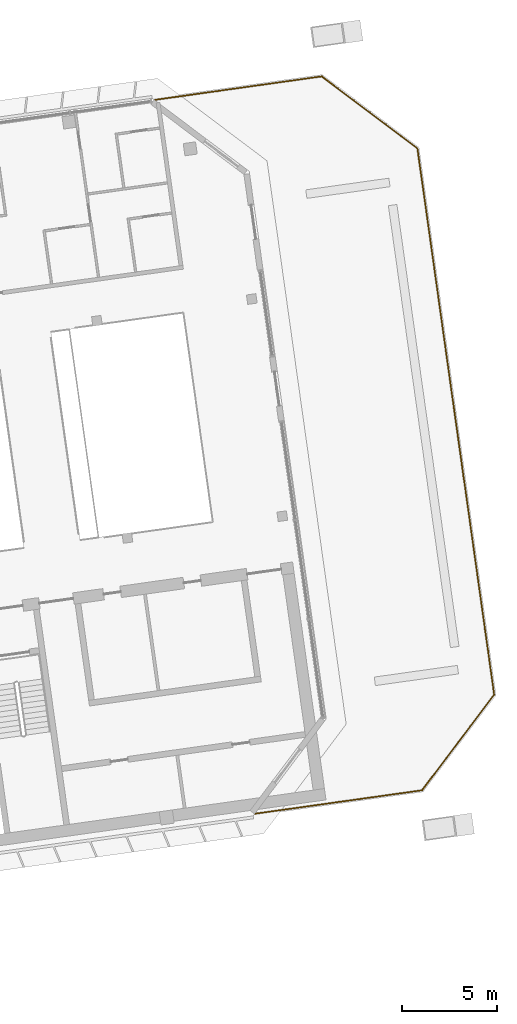
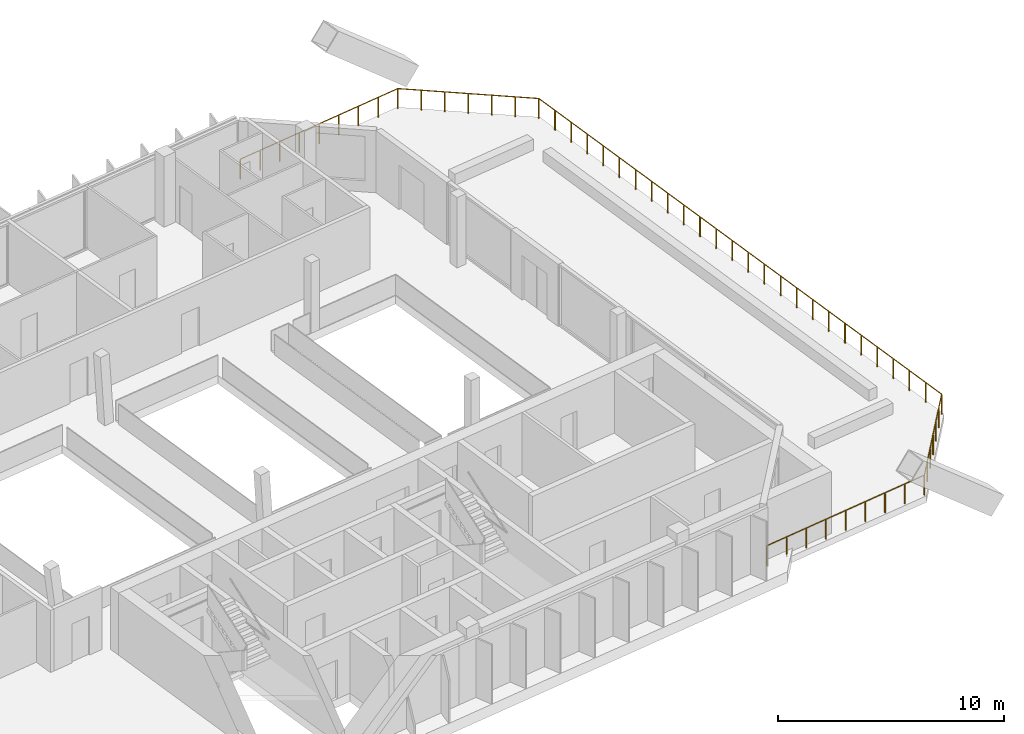
# One storey, part 19 of 19: 1 railing.
"""IFC4 building model written with IfcOpenShell, lengths in metres."""

from ifc_helpers import new_model, si_unit, direction, frame, origin, origin_2d, place, context, subcontext, project, spatial, polyline, rectangle, outline, extrude, material, type_object, element, save


model = new_model("IFC4")

# Units and contexts
model_context = context("Model", 3, precision=1e-05, world=origin(), true_north=direction((0.0, 1.0)))
body_context = subcontext(model_context, "Body", "Model", "MODEL_VIEW")
ifc_project = project(units=[si_unit("LENGTHUNIT", "METRE"), si_unit("AREAUNIT", "SQUARE_METRE"), si_unit("VOLUMEUNIT", "CUBIC_METRE"), si_unit("PLANEANGLEUNIT", "RADIAN"), si_unit("MASSUNIT", "GRAM", prefix="KILO")], contexts=[model_context])

# Site, building, storey
site_placement = place(None, origin())
site = spatial("IfcSite", under=ifc_project, at=site_placement, CompositionType="ELEMENT")
building_placement = place(site_placement, origin())
building = spatial("IfcBuilding", under=site, at=building_placement, Name="Mirante Cascada Hotel Towers", CompositionType="ELEMENT")
storey_placement = place(building_placement, frame((0.0, 0.0, 231.8)))
storey = spatial("IfcBuildingStorey", under=building, at=storey_placement, Name="L55", CompositionType="ELEMENT", Elevation=231.8)

# Railing
ifc_material = material(Name="Stainless steel AISI 316", Category="steel")
railing_type = type_object("IfcRailingType", Name="Terrace guard 1100", PredefinedType="GUARDRAIL", material=ifc_material)
railing_placement = place(storey_placement, frame((58.6901, 21.1179, 0.0)))
element("IfcRailing", 1, at=railing_placement, inside=storey, type_object=railing_type, Name="GUARD T2 L55 terrace 1", PredefinedType="GUARDRAIL", context=body_context, shape_type="SweptSolid", body=[
    extrude(outline(polyline([(0.025, 0.0104), (0.0104, 0.025), (-0.0104, 0.025), (-0.025, 0.0104), (-0.025, -0.0104), (-0.0104, -0.025), (0.0104, -0.025), (0.025, -0.0104), (0.025, 0.0104)])), frame((0.0, 0.0, 1.075), z_axis=(0.9902688, 0.1391681, 0.0), x_axis=(-0.1391681, 0.9902688, 0.0)), (0.0, 0.0, 1.0), 8.8303),
    extrude(outline(polyline([(0.025, 0.0104), (0.0104, 0.025), (-0.0104, 0.025), (-0.025, 0.0104), (-0.025, -0.0104), (-0.0104, -0.025), (0.0104, -0.025), (0.025, -0.0104), (0.025, 0.0104)])), frame((8.7444, 1.2289, 1.075), z_axis=(0.7986319, -0.6018198, 0.0), x_axis=(0.6018198, 0.7986319, 0.0)), (0.0, 0.0, 1.0), 6.2811),
    extrude(outline(polyline([(0.025, 0.0104), (0.0104, 0.025), (-0.0104, 0.025), (-0.025, 0.0104), (-0.025, -0.0104), (-0.0104, -0.025), (0.0104, -0.025), (0.025, -0.0104), (0.025, 0.0104)])), frame((13.7607, -2.5512, 1.075), z_axis=(0.1391736, -0.990268, 0.0), x_axis=(0.990268, 0.1391736, 0.0)), (0.0, 0.0, 1.0), 28.9171),
    extrude(outline(polyline([(0.025, 0.0104), (0.0104, 0.025), (-0.0104, 0.025), (-0.025, 0.0104), (-0.025, -0.0104), (-0.0104, -0.025), (0.0104, -0.025), (0.025, -0.0104), (0.025, 0.0104)])), frame((17.7852, -31.1869, 1.075), z_axis=(-0.6018198, -0.7986319, 0.0), x_axis=(0.7986319, -0.6018198, 0.0)), (0.0, 0.0, 1.0), 6.2811),
    extrude(outline(polyline([(0.025, 0.0104), (0.0104, 0.025), (-0.0104, 0.025), (-0.025, 0.0104), (-0.025, -0.0104), (-0.0104, -0.025), (0.0104, -0.025), (0.025, -0.0104), (0.025, 0.0104)])), frame((14.0051, -36.2032, 1.075), z_axis=(-0.990267, -0.1391807, 0.0), x_axis=(0.1391807, -0.990267, 0.0)), (0.0, 0.0, 1.0), 8.8302),
    extrude(rectangle(XDim=0.05, YDim=0.05, at=origin_2d()), origin(), (0.0, 0.0, 1.0), 1.05),
    extrude(rectangle(XDim=0.05, YDim=0.05, at=origin_2d()), frame((1.093, 0.1536, 0.0)), (0.0, 0.0, 1.0), 1.05),
    extrude(rectangle(XDim=0.05, YDim=0.05, at=origin_2d()), frame((2.1861, 0.3072, 0.0)), (0.0, 0.0, 1.0), 1.05),
    extrude(rectangle(XDim=0.05, YDim=0.05, at=origin_2d()), frame((3.2791, 0.4608, 0.0)), (0.0, 0.0, 1.0), 1.05),
    extrude(rectangle(XDim=0.05, YDim=0.05, at=origin_2d()), frame((4.3722, 0.6145, 0.0)), (0.0, 0.0, 1.0), 1.05),
    extrude(rectangle(XDim=0.05, YDim=0.05, at=origin_2d()), frame((5.4652, 0.7681, 0.0)), (0.0, 0.0, 1.0), 1.05),
    extrude(rectangle(XDim=0.05, YDim=0.05, at=origin_2d()), frame((6.5583, 0.9217, 0.0)), (0.0, 0.0, 1.0), 1.05),
    extrude(rectangle(XDim=0.05, YDim=0.05, at=origin_2d()), frame((7.6513, 1.0753, 0.0)), (0.0, 0.0, 1.0), 1.05),
    extrude(rectangle(XDim=0.05, YDim=0.05, at=origin_2d()), frame((8.7444, 1.2289, 0.0)), (0.0, 0.0, 1.0), 1.05),
    extrude(rectangle(XDim=0.05, YDim=0.05, at=origin_2d()), frame((9.5804, 0.5989, 0.0)), (0.0, 0.0, 1.0), 1.05),
    extrude(rectangle(XDim=0.05, YDim=0.05, at=origin_2d()), frame((10.4165, -0.0311, 0.0)), (0.0, 0.0, 1.0), 1.05),
    extrude(rectangle(XDim=0.05, YDim=0.05, at=origin_2d()), frame((11.2526, -0.6611, 0.0)), (0.0, 0.0, 1.0), 1.05),
    extrude(rectangle(XDim=0.05, YDim=0.05, at=origin_2d()), frame((12.0886, -1.2912, 0.0)), (0.0, 0.0, 1.0), 1.05),
    extrude(rectangle(XDim=0.05, YDim=0.05, at=origin_2d()), frame((12.9246, -1.9212, 0.0)), (0.0, 0.0, 1.0), 1.05),
    extrude(rectangle(XDim=0.05, YDim=0.05, at=origin_2d()), frame((13.7607, -2.5512, 0.0)), (0.0, 0.0, 1.0), 1.05),
    extrude(rectangle(XDim=0.05, YDim=0.05, at=origin_2d()), frame((13.9217, -3.6966, 0.0)), (0.0, 0.0, 1.0), 1.05),
    extrude(rectangle(XDim=0.05, YDim=0.05, at=origin_2d()), frame((14.0827, -4.8421, 0.0)), (0.0, 0.0, 1.0), 1.05),
    extrude(rectangle(XDim=0.05, YDim=0.05, at=origin_2d()), frame((14.2436, -5.9875, 0.0)), (0.0, 0.0, 1.0), 1.05),
    extrude(rectangle(XDim=0.05, YDim=0.05, at=origin_2d()), frame((14.4046, -7.1329, 0.0)), (0.0, 0.0, 1.0), 1.05),
    extrude(rectangle(XDim=0.05, YDim=0.05, at=origin_2d()), frame((14.5656, -8.2783, 0.0)), (0.0, 0.0, 1.0), 1.05),
    extrude(rectangle(XDim=0.05, YDim=0.05, at=origin_2d()), frame((14.7266, -9.4238, 0.0)), (0.0, 0.0, 1.0), 1.05),
    extrude(rectangle(XDim=0.05, YDim=0.05, at=origin_2d()), frame((14.8876, -10.5692, 0.0)), (0.0, 0.0, 1.0), 1.05),
    extrude(rectangle(XDim=0.05, YDim=0.05, at=origin_2d()), frame((15.0485, -11.7146, 0.0)), (0.0, 0.0, 1.0), 1.05),
    extrude(rectangle(XDim=0.05, YDim=0.05, at=origin_2d()), frame((15.2095, -12.8601, 0.0)), (0.0, 0.0, 1.0), 1.05),
    extrude(rectangle(XDim=0.05, YDim=0.05, at=origin_2d()), frame((15.3705, -14.0055, 0.0)), (0.0, 0.0, 1.0), 1.05),
    extrude(rectangle(XDim=0.05, YDim=0.05, at=origin_2d()), frame((15.5315, -15.1509, 0.0)), (0.0, 0.0, 1.0), 1.05),
    extrude(rectangle(XDim=0.05, YDim=0.05, at=origin_2d()), frame((15.6925, -16.2963, 0.0)), (0.0, 0.0, 1.0), 1.05),
    extrude(rectangle(XDim=0.05, YDim=0.05, at=origin_2d()), frame((15.8534, -17.4418, 0.0)), (0.0, 0.0, 1.0), 1.05),
    extrude(rectangle(XDim=0.05, YDim=0.05, at=origin_2d()), frame((16.0144, -18.5872, 0.0)), (0.0, 0.0, 1.0), 1.05),
    extrude(rectangle(XDim=0.05, YDim=0.05, at=origin_2d()), frame((16.1754, -19.7326, 0.0)), (0.0, 0.0, 1.0), 1.05),
    extrude(rectangle(XDim=0.05, YDim=0.05, at=origin_2d()), frame((16.3364, -20.878, 0.0)), (0.0, 0.0, 1.0), 1.05),
    extrude(rectangle(XDim=0.05, YDim=0.05, at=origin_2d()), frame((16.4974, -22.0235, 0.0)), (0.0, 0.0, 1.0), 1.05),
    extrude(rectangle(XDim=0.05, YDim=0.05, at=origin_2d()), frame((16.6583, -23.1689, 0.0)), (0.0, 0.0, 1.0), 1.05),
    extrude(rectangle(XDim=0.05, YDim=0.05, at=origin_2d()), frame((16.8193, -24.3143, 0.0)), (0.0, 0.0, 1.0), 1.05),
    extrude(rectangle(XDim=0.05, YDim=0.05, at=origin_2d()), frame((16.9803, -25.4598, 0.0)), (0.0, 0.0, 1.0), 1.05),
    extrude(rectangle(XDim=0.05, YDim=0.05, at=origin_2d()), frame((17.1413, -26.6052, 0.0)), (0.0, 0.0, 1.0), 1.05),
    extrude(rectangle(XDim=0.05, YDim=0.05, at=origin_2d()), frame((17.3023, -27.7506, 0.0)), (0.0, 0.0, 1.0), 1.05),
    extrude(rectangle(XDim=0.05, YDim=0.05, at=origin_2d()), frame((17.4632, -28.896, 0.0)), (0.0, 0.0, 1.0), 1.05),
    extrude(rectangle(XDim=0.05, YDim=0.05, at=origin_2d()), frame((17.6242, -30.0415, 0.0)), (0.0, 0.0, 1.0), 1.05),
    extrude(rectangle(XDim=0.05, YDim=0.05, at=origin_2d()), frame((17.7852, -31.1869, 0.0)), (0.0, 0.0, 1.0), 1.05),
    extrude(rectangle(XDim=0.05, YDim=0.05, at=origin_2d()), frame((17.1552, -32.023, 0.0)), (0.0, 0.0, 1.0), 1.05),
    extrude(rectangle(XDim=0.05, YDim=0.05, at=origin_2d()), frame((16.5252, -32.859, 0.0)), (0.0, 0.0, 1.0), 1.05),
    extrude(rectangle(XDim=0.05, YDim=0.05, at=origin_2d()), frame((15.8952, -33.695, 0.0)), (0.0, 0.0, 1.0), 1.05),
    extrude(rectangle(XDim=0.05, YDim=0.05, at=origin_2d()), frame((15.2651, -34.5311, 0.0)), (0.0, 0.0, 1.0), 1.05),
    extrude(rectangle(XDim=0.05, YDim=0.05, at=origin_2d()), frame((14.6351, -35.3671, 0.0)), (0.0, 0.0, 1.0), 1.05),
    extrude(rectangle(XDim=0.05, YDim=0.05, at=origin_2d()), frame((14.0051, -36.2032, 0.0)), (0.0, 0.0, 1.0), 1.05),
    extrude(rectangle(XDim=0.05, YDim=0.05, at=origin_2d()), frame((12.9121, -36.3568, 0.0)), (0.0, 0.0, 1.0), 1.05),
    extrude(rectangle(XDim=0.05, YDim=0.05, at=origin_2d()), frame((11.819, -36.5104, 0.0)), (0.0, 0.0, 1.0), 1.05),
    extrude(rectangle(XDim=0.05, YDim=0.05, at=origin_2d()), frame((10.726, -36.6641, 0.0)), (0.0, 0.0, 1.0), 1.05),
    extrude(rectangle(XDim=0.05, YDim=0.05, at=origin_2d()), frame((9.6329, -36.8177, 0.0)), (0.0, 0.0, 1.0), 1.05),
    extrude(rectangle(XDim=0.05, YDim=0.05, at=origin_2d()), frame((8.5399, -36.9713, 0.0)), (0.0, 0.0, 1.0), 1.05),
    extrude(rectangle(XDim=0.05, YDim=0.05, at=origin_2d()), frame((7.4469, -37.125, 0.0)), (0.0, 0.0, 1.0), 1.05),
    extrude(rectangle(XDim=0.05, YDim=0.05, at=origin_2d()), frame((6.3538, -37.2786, 0.0)), (0.0, 0.0, 1.0), 1.05),
    extrude(rectangle(XDim=0.05, YDim=0.05, at=origin_2d()), frame((5.2608, -37.4322, 0.0)), (0.0, 0.0, 1.0), 1.05),
])

save(model, "model.ifc")
